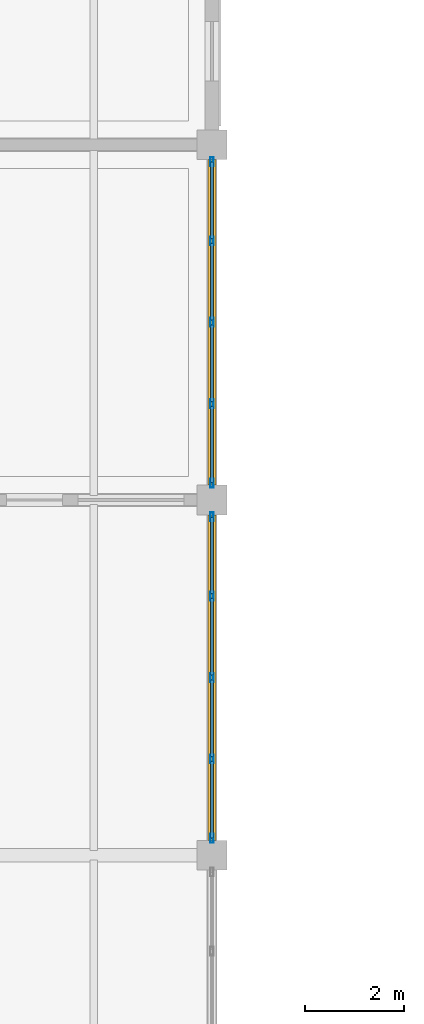
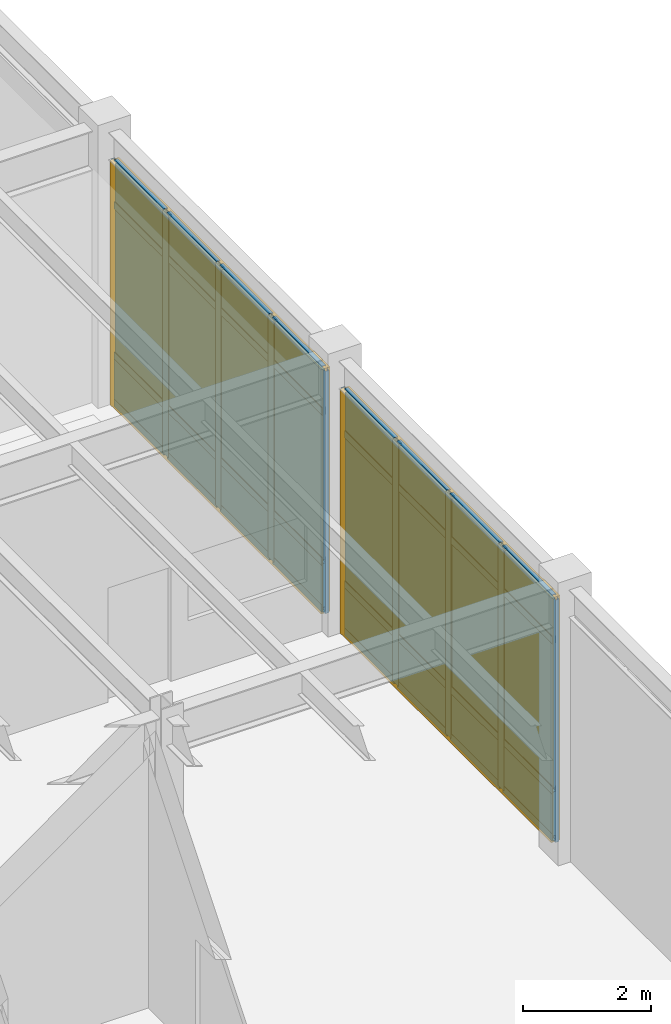
# One storey, part 84 of 97: 42 members, 16 plates, 2 curtain walls.
"""IFC4 building model written with IfcOpenShell, lengths in metres."""

from ifc_helpers import new_model, si_unit, direction, frame, origin, origin_2d, place, context, subcontext, project, spatial, rectangle, hollow_rectangle, extrude, material, layer, layer_set, material_profile, profile_set, type_object, element, aggregate, save


model = new_model("IFC4")

# Units and contexts
model_context = context("Model", 3, precision=1e-05, world=origin(), true_north=direction((0.0, 1.0)))
body_context = subcontext(model_context, "Body", "Model", "MODEL_VIEW")
ifc_project = project(units=[si_unit("LENGTHUNIT", "METRE"), si_unit("AREAUNIT", "SQUARE_METRE"), si_unit("VOLUMEUNIT", "CUBIC_METRE"), si_unit("PLANEANGLEUNIT", "RADIAN"), si_unit("MASSUNIT", "GRAM", prefix="KILO")], contexts=[model_context])

# Member
ifc_material_1 = material(Name="Anodized Aluminium 6063-T6", Category="aluminium")
ifc_material_profile_1 = material_profile(ifc_material_1, hollow_rectangle(XDim=0.06494140625, YDim=0.179931640625, WallThickness=0.00390625, at=origin_2d()), Name="ALU 65x180x4")
ifc_profile_set_1 = profile_set([ifc_material_profile_1], Name="Anodized Aluminium 6063-T6")
member_type_1 = type_object("IfcMemberType", Name="CWM-65X150", PredefinedType="MULLION", material=ifc_profile_set_1)
site_placement = place(None, origin())
building_placement = place(site_placement, origin())
storey_placement = place(building_placement, origin())
member_1_placement = place(storey_placement, frame((136.800048828125, 71.659912109375, 0.02001953125), z_axis=(0.0, 0.0, 1.0), x_axis=(1.0, 0.0, 0.0)))
member_1 = element("IfcMember", 1, at=member_1_placement, type_object=member_type_1, Name="Curtain wall mullion CW-L01-18-09-E-00", PredefinedType="MULLION", context=body_context, shape_type="SweptSolid", body=[
    extrude(hollow_rectangle(XDim=0.06494140625, YDim=0.179931640625, WallThickness=0.00390625, at=origin_2d()), origin(), (0.0, 0.0, 1.0), 4.626953125),
])

member_2_placement = place(storey_placement, frame((136.800048828125, 70.050048828125, 0.02001953125), z_axis=(0.0, 0.0, 1.0), x_axis=(1.0, 0.0, 0.0)))
member_2 = element("IfcMember", 2, at=member_2_placement, type_object=member_type_1, Name="Curtain wall mullion CW-L01-18-09-E-01", PredefinedType="MULLION", context=body_context, shape_type="SweptSolid", body=[
    extrude(hollow_rectangle(XDim=0.06494140625, YDim=0.179931640625, WallThickness=0.00390625, at=origin_2d()), origin(), (0.0, 0.0, 1.0), 4.626953125),
])

member_3_placement = place(storey_placement, frame((136.800048828125, 68.39990234375, 0.02001953125), z_axis=(0.0, 0.0, 1.0), x_axis=(1.0, 0.0, 0.0)))
member_3 = element("IfcMember", 3, at=member_3_placement, type_object=member_type_1, Name="Curtain wall mullion CW-L01-18-09-E-02", PredefinedType="MULLION", context=body_context, shape_type="SweptSolid", body=[
    extrude(hollow_rectangle(XDim=0.06494140625, YDim=0.179931640625, WallThickness=0.00390625, at=origin_2d()), origin(), (0.0, 0.0, 1.0), 4.626953125),
])

member_4_placement = place(storey_placement, frame((136.800048828125, 66.75, 0.02001953125), z_axis=(0.0, 0.0, 1.0), x_axis=(1.0, 0.0, 0.0)))
member_4 = element("IfcMember", 4, at=member_4_placement, type_object=member_type_1, Name="Curtain wall mullion CW-L01-18-09-E-03", PredefinedType="MULLION", context=body_context, shape_type="SweptSolid", body=[
    extrude(hollow_rectangle(XDim=0.06494140625, YDim=0.179931640625, WallThickness=0.00390625, at=origin_2d()), origin(), (0.0, 0.0, 1.0), 4.626953125),
])

member_5_placement = place(storey_placement, frame((136.800048828125, 65.139892578125, 0.02001953125), z_axis=(0.0, 0.0, 1.0), x_axis=(1.0, 0.0, 0.0)))
member_5 = element("IfcMember", 5, at=member_5_placement, type_object=member_type_1, Name="Curtain wall mullion CW-L01-18-09-E-04", PredefinedType="MULLION", context=body_context, shape_type="SweptSolid", body=[
    extrude(hollow_rectangle(XDim=0.06494140625, YDim=0.179931640625, WallThickness=0.00390625, at=origin_2d()), origin(), (0.0, 0.0, 1.0), 4.626953125),
])

member_6_placement = place(storey_placement, frame((136.800048828125, 78.860107421875, 0.02001953125), z_axis=(0.0, 0.0, 1.0), x_axis=(1.0, 0.0, 0.0)))
member_6 = element("IfcMember", 6, at=member_6_placement, type_object=member_type_1, Name="Curtain wall mullion CW-L01-18-10-E-00", PredefinedType="MULLION", context=body_context, shape_type="SweptSolid", body=[
    extrude(hollow_rectangle(XDim=0.06494140625, YDim=0.179931640625, WallThickness=0.00390625, at=origin_2d()), origin(), (0.0, 0.0, 1.0), 4.626953125),
])

member_7_placement = place(storey_placement, frame((136.800048828125, 77.25, 0.02001953125), z_axis=(0.0, 0.0, 1.0), x_axis=(1.0, 0.0, 0.0)))
member_7 = element("IfcMember", 7, at=member_7_placement, type_object=member_type_1, Name="Curtain wall mullion CW-L01-18-10-E-01", PredefinedType="MULLION", context=body_context, shape_type="SweptSolid", body=[
    extrude(hollow_rectangle(XDim=0.06494140625, YDim=0.179931640625, WallThickness=0.00390625, at=origin_2d()), origin(), (0.0, 0.0, 1.0), 4.626953125),
])

member_8_placement = place(storey_placement, frame((136.800048828125, 75.60009765625, 0.02001953125), z_axis=(0.0, 0.0, 1.0), x_axis=(1.0, 0.0, 0.0)))
member_8 = element("IfcMember", 8, at=member_8_placement, type_object=member_type_1, Name="Curtain wall mullion CW-L01-18-10-E-02", PredefinedType="MULLION", context=body_context, shape_type="SweptSolid", body=[
    extrude(hollow_rectangle(XDim=0.06494140625, YDim=0.179931640625, WallThickness=0.00390625, at=origin_2d()), origin(), (0.0, 0.0, 1.0), 4.626953125),
])

member_9_placement = place(storey_placement, frame((136.800048828125, 73.949951171875, 0.02001953125), z_axis=(0.0, 0.0, 1.0), x_axis=(1.0, 0.0, 0.0)))
member_9 = element("IfcMember", 9, at=member_9_placement, type_object=member_type_1, Name="Curtain wall mullion CW-L01-18-10-E-03", PredefinedType="MULLION", context=body_context, shape_type="SweptSolid", body=[
    extrude(hollow_rectangle(XDim=0.06494140625, YDim=0.179931640625, WallThickness=0.00390625, at=origin_2d()), origin(), (0.0, 0.0, 1.0), 4.626953125),
])

member_10_placement = place(storey_placement, frame((136.800048828125, 72.340087890625, 0.02001953125), z_axis=(0.0, 0.0, 1.0), x_axis=(1.0, 0.0, 0.0)))
member_10 = element("IfcMember", 10, at=member_10_placement, type_object=member_type_1, Name="Curtain wall mullion CW-L01-18-10-E-04", PredefinedType="MULLION", context=body_context, shape_type="SweptSolid", body=[
    extrude(hollow_rectangle(XDim=0.06494140625, YDim=0.179931640625, WallThickness=0.00390625, at=origin_2d()), origin(), (0.0, 0.0, 1.0), 4.626953125),
])

ifc_material_profile_2 = material_profile(ifc_material_1, hollow_rectangle(XDim=0.06494140625, YDim=0.139892578125, WallThickness=0.00390625, at=origin_2d()), Name="ALU 65x140x4")
ifc_profile_set_2 = profile_set([ifc_material_profile_2], Name="Anodized Aluminium 6063-T6")
member_type_2 = type_object("IfcMemberType", Name="CWT-65X120", PredefinedType="USERDEFINED", material=ifc_profile_set_2)
member_11_placement = place(storey_placement, frame((136.800048828125, 71.64990234375, 0.050048828125), z_axis=(0.0, -1.0, 0.0), x_axis=(1.0, 0.0, 0.0)))
member_11 = element("IfcMember", 11, at=member_11_placement, type_object=member_type_2, Name="Curtain wall transom CW-L01-18-09-E-1.01", ObjectType="TRANSOM", PredefinedType="USERDEFINED", context=body_context, shape_type="SweptSolid", body=[
    extrude(hollow_rectangle(XDim=0.06494140625, YDim=0.139892578125, WallThickness=0.00390625, at=origin_2d()), origin(), (0.0, 0.0, 1.0), 1.5498046875),
])

member_12_placement = place(storey_placement, frame((136.800048828125, 70.0, 0.050048828125), z_axis=(0.0, -1.0, 0.0), x_axis=(1.0, 0.0, 0.0)))
member_12 = element("IfcMember", 12, at=member_12_placement, type_object=member_type_2, Name="Curtain wall transom CW-L01-18-09-E-1.02", ObjectType="TRANSOM", PredefinedType="USERDEFINED", context=body_context, shape_type="SweptSolid", body=[
    extrude(hollow_rectangle(XDim=0.06494140625, YDim=0.139892578125, WallThickness=0.00390625, at=origin_2d()), origin(), (0.0, 0.0, 1.0), 1.550048828125),
])

member_13_placement = place(storey_placement, frame((136.800048828125, 68.35009765625, 0.050048828125), z_axis=(0.0, -1.0, 0.0), x_axis=(1.0, 0.0, 0.0)))
member_13 = element("IfcMember", 13, at=member_13_placement, type_object=member_type_2, Name="Curtain wall transom CW-L01-18-09-E-1.03", ObjectType="TRANSOM", PredefinedType="USERDEFINED", context=body_context, shape_type="SweptSolid", body=[
    extrude(hollow_rectangle(XDim=0.06494140625, YDim=0.139892578125, WallThickness=0.00390625, at=origin_2d()), origin(), (0.0, 0.0, 1.0), 1.550048828125),
])

member_14_placement = place(storey_placement, frame((136.800048828125, 66.699951171875, 0.050048828125), z_axis=(0.0, -1.0, 0.0), x_axis=(1.0, 0.0, 0.0)))
member_14 = element("IfcMember", 14, at=member_14_placement, type_object=member_type_2, Name="Curtain wall transom CW-L01-18-09-E-1.04", ObjectType="TRANSOM", PredefinedType="USERDEFINED", context=body_context, shape_type="SweptSolid", body=[
    extrude(hollow_rectangle(XDim=0.06494140625, YDim=0.139892578125, WallThickness=0.00390625, at=origin_2d()), origin(), (0.0, 0.0, 1.0), 1.550048828125),
])

member_15_placement = place(storey_placement, frame((136.800048828125, 71.64990234375, 0.949951171875), z_axis=(0.0, -1.0, 0.0), x_axis=(1.0, 0.0, 0.0)))
member_15 = element("IfcMember", 15, at=member_15_placement, type_object=member_type_2, Name="Curtain wall transom CW-L01-18-09-E-2.01", ObjectType="TRANSOM", PredefinedType="USERDEFINED", context=body_context, shape_type="SweptSolid", body=[
    extrude(hollow_rectangle(XDim=0.06494140625, YDim=0.139892578125, WallThickness=0.00390625, at=origin_2d()), origin(), (0.0, 0.0, 1.0), 1.5498046875),
])

member_16_placement = place(storey_placement, frame((136.800048828125, 70.0, 0.949951171875), z_axis=(0.0, -1.0, 0.0), x_axis=(1.0, 0.0, 0.0)))
member_16 = element("IfcMember", 16, at=member_16_placement, type_object=member_type_2, Name="Curtain wall transom CW-L01-18-09-E-2.02", ObjectType="TRANSOM", PredefinedType="USERDEFINED", context=body_context, shape_type="SweptSolid", body=[
    extrude(hollow_rectangle(XDim=0.06494140625, YDim=0.139892578125, WallThickness=0.00390625, at=origin_2d()), origin(), (0.0, 0.0, 1.0), 1.550048828125),
])

member_17_placement = place(storey_placement, frame((136.800048828125, 68.35009765625, 0.949951171875), z_axis=(0.0, -1.0, 0.0), x_axis=(1.0, 0.0, 0.0)))
member_17 = element("IfcMember", 17, at=member_17_placement, type_object=member_type_2, Name="Curtain wall transom CW-L01-18-09-E-2.03", ObjectType="TRANSOM", PredefinedType="USERDEFINED", context=body_context, shape_type="SweptSolid", body=[
    extrude(hollow_rectangle(XDim=0.06494140625, YDim=0.139892578125, WallThickness=0.00390625, at=origin_2d()), origin(), (0.0, 0.0, 1.0), 1.550048828125),
])

member_18_placement = place(storey_placement, frame((136.800048828125, 66.699951171875, 0.949951171875), z_axis=(0.0, -1.0, 0.0), x_axis=(1.0, 0.0, 0.0)))
member_18 = element("IfcMember", 18, at=member_18_placement, type_object=member_type_2, Name="Curtain wall transom CW-L01-18-09-E-2.04", ObjectType="TRANSOM", PredefinedType="USERDEFINED", context=body_context, shape_type="SweptSolid", body=[
    extrude(hollow_rectangle(XDim=0.06494140625, YDim=0.139892578125, WallThickness=0.00390625, at=origin_2d()), origin(), (0.0, 0.0, 1.0), 1.550048828125),
])

member_19_placement = place(storey_placement, frame((136.800048828125, 71.64990234375, 3.81689453125), z_axis=(0.0, -1.0, 0.0), x_axis=(1.0, 0.0, 0.0)))
member_19 = element("IfcMember", 19, at=member_19_placement, type_object=member_type_2, Name="Curtain wall transom CW-L01-18-09-E-3.01", ObjectType="TRANSOM", PredefinedType="USERDEFINED", context=body_context, shape_type="SweptSolid", body=[
    extrude(hollow_rectangle(XDim=0.06494140625, YDim=0.139892578125, WallThickness=0.00390625, at=origin_2d()), origin(), (0.0, 0.0, 1.0), 1.5498046875),
])

member_20_placement = place(storey_placement, frame((136.800048828125, 70.0, 3.81689453125), z_axis=(0.0, -1.0, 0.0), x_axis=(1.0, 0.0, 0.0)))
member_20 = element("IfcMember", 20, at=member_20_placement, type_object=member_type_2, Name="Curtain wall transom CW-L01-18-09-E-3.02", ObjectType="TRANSOM", PredefinedType="USERDEFINED", context=body_context, shape_type="SweptSolid", body=[
    extrude(hollow_rectangle(XDim=0.06494140625, YDim=0.139892578125, WallThickness=0.00390625, at=origin_2d()), origin(), (0.0, 0.0, 1.0), 1.550048828125),
])

member_21_placement = place(storey_placement, frame((136.800048828125, 68.35009765625, 3.81689453125), z_axis=(0.0, -1.0, 0.0), x_axis=(1.0, 0.0, 0.0)))
member_21 = element("IfcMember", 21, at=member_21_placement, type_object=member_type_2, Name="Curtain wall transom CW-L01-18-09-E-3.03", ObjectType="TRANSOM", PredefinedType="USERDEFINED", context=body_context, shape_type="SweptSolid", body=[
    extrude(hollow_rectangle(XDim=0.06494140625, YDim=0.139892578125, WallThickness=0.00390625, at=origin_2d()), origin(), (0.0, 0.0, 1.0), 1.550048828125),
])

member_22_placement = place(storey_placement, frame((136.800048828125, 66.699951171875, 3.81689453125), z_axis=(0.0, -1.0, 0.0), x_axis=(1.0, 0.0, 0.0)))
member_22 = element("IfcMember", 22, at=member_22_placement, type_object=member_type_2, Name="Curtain wall transom CW-L01-18-09-E-3.04", ObjectType="TRANSOM", PredefinedType="USERDEFINED", context=body_context, shape_type="SweptSolid", body=[
    extrude(hollow_rectangle(XDim=0.06494140625, YDim=0.139892578125, WallThickness=0.00390625, at=origin_2d()), origin(), (0.0, 0.0, 1.0), 1.550048828125),
])

member_23_placement = place(storey_placement, frame((136.800048828125, 71.64990234375, 4.616943359375), z_axis=(0.0, -1.0, 0.0), x_axis=(1.0, 0.0, 0.0)))
member_23 = element("IfcMember", 23, at=member_23_placement, type_object=member_type_2, Name="Curtain wall transom CW-L01-18-09-E-4.01", ObjectType="TRANSOM", PredefinedType="USERDEFINED", context=body_context, shape_type="SweptSolid", body=[
    extrude(hollow_rectangle(XDim=0.06494140625, YDim=0.139892578125, WallThickness=0.00390625, at=origin_2d()), origin(), (0.0, 0.0, 1.0), 1.5498046875),
])

member_24_placement = place(storey_placement, frame((136.800048828125, 70.0, 4.616943359375), z_axis=(0.0, -1.0, 0.0), x_axis=(1.0, 0.0, 0.0)))
member_24 = element("IfcMember", 24, at=member_24_placement, type_object=member_type_2, Name="Curtain wall transom CW-L01-18-09-E-4.02", ObjectType="TRANSOM", PredefinedType="USERDEFINED", context=body_context, shape_type="SweptSolid", body=[
    extrude(hollow_rectangle(XDim=0.06494140625, YDim=0.139892578125, WallThickness=0.00390625, at=origin_2d()), origin(), (0.0, 0.0, 1.0), 1.550048828125),
])

member_25_placement = place(storey_placement, frame((136.800048828125, 68.35009765625, 4.616943359375), z_axis=(0.0, -1.0, 0.0), x_axis=(1.0, 0.0, 0.0)))
member_25 = element("IfcMember", 25, at=member_25_placement, type_object=member_type_2, Name="Curtain wall transom CW-L01-18-09-E-4.03", ObjectType="TRANSOM", PredefinedType="USERDEFINED", context=body_context, shape_type="SweptSolid", body=[
    extrude(hollow_rectangle(XDim=0.06494140625, YDim=0.139892578125, WallThickness=0.00390625, at=origin_2d()), origin(), (0.0, 0.0, 1.0), 1.550048828125),
])

member_26_placement = place(storey_placement, frame((136.800048828125, 66.699951171875, 4.616943359375), z_axis=(0.0, -1.0, 0.0), x_axis=(1.0, 0.0, 0.0)))
member_26 = element("IfcMember", 26, at=member_26_placement, type_object=member_type_2, Name="Curtain wall transom CW-L01-18-09-E-4.04", ObjectType="TRANSOM", PredefinedType="USERDEFINED", context=body_context, shape_type="SweptSolid", body=[
    extrude(hollow_rectangle(XDim=0.06494140625, YDim=0.139892578125, WallThickness=0.00390625, at=origin_2d()), origin(), (0.0, 0.0, 1.0), 1.550048828125),
])

member_27_placement = place(storey_placement, frame((136.800048828125, 78.85009765625, 0.050048828125), z_axis=(0.0, -1.0, 0.0), x_axis=(1.0, 0.0, 0.0)))
member_27 = element("IfcMember", 27, at=member_27_placement, type_object=member_type_2, Name="Curtain wall transom CW-L01-18-10-E-1.01", ObjectType="TRANSOM", PredefinedType="USERDEFINED", context=body_context, shape_type="SweptSolid", body=[
    extrude(hollow_rectangle(XDim=0.06494140625, YDim=0.139892578125, WallThickness=0.00390625, at=origin_2d()), origin(), (0.0, 0.0, 1.0), 1.550048828125),
])

member_28_placement = place(storey_placement, frame((136.800048828125, 77.199951171875, 0.050048828125), z_axis=(0.0, -1.0, 0.0), x_axis=(1.0, 0.0, 0.0)))
member_28 = element("IfcMember", 28, at=member_28_placement, type_object=member_type_2, Name="Curtain wall transom CW-L01-18-10-E-1.02", ObjectType="TRANSOM", PredefinedType="USERDEFINED", context=body_context, shape_type="SweptSolid", body=[
    extrude(hollow_rectangle(XDim=0.06494140625, YDim=0.139892578125, WallThickness=0.00390625, at=origin_2d()), origin(), (0.0, 0.0, 1.0), 1.550048828125),
])

member_29_placement = place(storey_placement, frame((136.800048828125, 75.550048828125, 0.050048828125), z_axis=(0.0, -1.0, 0.0), x_axis=(1.0, 0.0, 0.0)))
member_29 = element("IfcMember", 29, at=member_29_placement, type_object=member_type_2, Name="Curtain wall transom CW-L01-18-10-E-1.03", ObjectType="TRANSOM", PredefinedType="USERDEFINED", context=body_context, shape_type="SweptSolid", body=[
    extrude(hollow_rectangle(XDim=0.06494140625, YDim=0.139892578125, WallThickness=0.00390625, at=origin_2d()), origin(), (0.0, 0.0, 1.0), 1.550048828125),
])

member_30_placement = place(storey_placement, frame((136.800048828125, 73.89990234375, 0.050048828125), z_axis=(0.0, -1.0, 0.0), x_axis=(1.0, 0.0, 0.0)))
member_30 = element("IfcMember", 30, at=member_30_placement, type_object=member_type_2, Name="Curtain wall transom CW-L01-18-10-E-1.04", ObjectType="TRANSOM", PredefinedType="USERDEFINED", context=body_context, shape_type="SweptSolid", body=[
    extrude(hollow_rectangle(XDim=0.06494140625, YDim=0.139892578125, WallThickness=0.00390625, at=origin_2d()), origin(), (0.0, 0.0, 1.0), 1.5498046875),
])

member_31_placement = place(storey_placement, frame((136.800048828125, 78.85009765625, 0.949951171875), z_axis=(0.0, -1.0, 0.0), x_axis=(1.0, 0.0, 0.0)))
member_31 = element("IfcMember", 31, at=member_31_placement, type_object=member_type_2, Name="Curtain wall transom CW-L01-18-10-E-2.01", ObjectType="TRANSOM", PredefinedType="USERDEFINED", context=body_context, shape_type="SweptSolid", body=[
    extrude(hollow_rectangle(XDim=0.06494140625, YDim=0.139892578125, WallThickness=0.00390625, at=origin_2d()), origin(), (0.0, 0.0, 1.0), 1.550048828125),
])

member_32_placement = place(storey_placement, frame((136.800048828125, 77.199951171875, 0.949951171875), z_axis=(0.0, -1.0, 0.0), x_axis=(1.0, 0.0, 0.0)))
member_32 = element("IfcMember", 32, at=member_32_placement, type_object=member_type_2, Name="Curtain wall transom CW-L01-18-10-E-2.02", ObjectType="TRANSOM", PredefinedType="USERDEFINED", context=body_context, shape_type="SweptSolid", body=[
    extrude(hollow_rectangle(XDim=0.06494140625, YDim=0.139892578125, WallThickness=0.00390625, at=origin_2d()), origin(), (0.0, 0.0, 1.0), 1.550048828125),
])

member_33_placement = place(storey_placement, frame((136.800048828125, 75.550048828125, 0.949951171875), z_axis=(0.0, -1.0, 0.0), x_axis=(1.0, 0.0, 0.0)))
member_33 = element("IfcMember", 33, at=member_33_placement, type_object=member_type_2, Name="Curtain wall transom CW-L01-18-10-E-2.03", ObjectType="TRANSOM", PredefinedType="USERDEFINED", context=body_context, shape_type="SweptSolid", body=[
    extrude(hollow_rectangle(XDim=0.06494140625, YDim=0.139892578125, WallThickness=0.00390625, at=origin_2d()), origin(), (0.0, 0.0, 1.0), 1.550048828125),
])

member_34_placement = place(storey_placement, frame((136.800048828125, 73.89990234375, 0.949951171875), z_axis=(0.0, -1.0, 0.0), x_axis=(1.0, 0.0, 0.0)))
member_34 = element("IfcMember", 34, at=member_34_placement, type_object=member_type_2, Name="Curtain wall transom CW-L01-18-10-E-2.04", ObjectType="TRANSOM", PredefinedType="USERDEFINED", context=body_context, shape_type="SweptSolid", body=[
    extrude(hollow_rectangle(XDim=0.06494140625, YDim=0.139892578125, WallThickness=0.00390625, at=origin_2d()), origin(), (0.0, 0.0, 1.0), 1.5498046875),
])

member_35_placement = place(storey_placement, frame((136.800048828125, 78.85009765625, 3.81689453125), z_axis=(0.0, -1.0, 0.0), x_axis=(1.0, 0.0, 0.0)))
member_35 = element("IfcMember", 35, at=member_35_placement, type_object=member_type_2, Name="Curtain wall transom CW-L01-18-10-E-3.01", ObjectType="TRANSOM", PredefinedType="USERDEFINED", context=body_context, shape_type="SweptSolid", body=[
    extrude(hollow_rectangle(XDim=0.06494140625, YDim=0.139892578125, WallThickness=0.00390625, at=origin_2d()), origin(), (0.0, 0.0, 1.0), 1.550048828125),
])

member_36_placement = place(storey_placement, frame((136.800048828125, 77.199951171875, 3.81689453125), z_axis=(0.0, -1.0, 0.0), x_axis=(1.0, 0.0, 0.0)))
member_36 = element("IfcMember", 36, at=member_36_placement, type_object=member_type_2, Name="Curtain wall transom CW-L01-18-10-E-3.02", ObjectType="TRANSOM", PredefinedType="USERDEFINED", context=body_context, shape_type="SweptSolid", body=[
    extrude(hollow_rectangle(XDim=0.06494140625, YDim=0.139892578125, WallThickness=0.00390625, at=origin_2d()), origin(), (0.0, 0.0, 1.0), 1.550048828125),
])

member_37_placement = place(storey_placement, frame((136.800048828125, 75.550048828125, 3.81689453125), z_axis=(0.0, -1.0, 0.0), x_axis=(1.0, 0.0, 0.0)))
member_37 = element("IfcMember", 37, at=member_37_placement, type_object=member_type_2, Name="Curtain wall transom CW-L01-18-10-E-3.03", ObjectType="TRANSOM", PredefinedType="USERDEFINED", context=body_context, shape_type="SweptSolid", body=[
    extrude(hollow_rectangle(XDim=0.06494140625, YDim=0.139892578125, WallThickness=0.00390625, at=origin_2d()), origin(), (0.0, 0.0, 1.0), 1.550048828125),
])

member_38_placement = place(storey_placement, frame((136.800048828125, 73.89990234375, 3.81689453125), z_axis=(0.0, -1.0, 0.0), x_axis=(1.0, 0.0, 0.0)))
member_38 = element("IfcMember", 38, at=member_38_placement, type_object=member_type_2, Name="Curtain wall transom CW-L01-18-10-E-3.04", ObjectType="TRANSOM", PredefinedType="USERDEFINED", context=body_context, shape_type="SweptSolid", body=[
    extrude(hollow_rectangle(XDim=0.06494140625, YDim=0.139892578125, WallThickness=0.00390625, at=origin_2d()), origin(), (0.0, 0.0, 1.0), 1.5498046875),
])

member_39_placement = place(storey_placement, frame((136.800048828125, 78.85009765625, 4.616943359375), z_axis=(0.0, -1.0, 0.0), x_axis=(1.0, 0.0, 0.0)))
member_39 = element("IfcMember", 39, at=member_39_placement, type_object=member_type_2, Name="Curtain wall transom CW-L01-18-10-E-4.01", ObjectType="TRANSOM", PredefinedType="USERDEFINED", context=body_context, shape_type="SweptSolid", body=[
    extrude(hollow_rectangle(XDim=0.06494140625, YDim=0.139892578125, WallThickness=0.00390625, at=origin_2d()), origin(), (0.0, 0.0, 1.0), 1.550048828125),
])

member_40_placement = place(storey_placement, frame((136.800048828125, 77.199951171875, 4.616943359375), z_axis=(0.0, -1.0, 0.0), x_axis=(1.0, 0.0, 0.0)))
member_40 = element("IfcMember", 40, at=member_40_placement, type_object=member_type_2, Name="Curtain wall transom CW-L01-18-10-E-4.02", ObjectType="TRANSOM", PredefinedType="USERDEFINED", context=body_context, shape_type="SweptSolid", body=[
    extrude(hollow_rectangle(XDim=0.06494140625, YDim=0.139892578125, WallThickness=0.00390625, at=origin_2d()), origin(), (0.0, 0.0, 1.0), 1.550048828125),
])

member_41_placement = place(storey_placement, frame((136.800048828125, 75.550048828125, 4.616943359375), z_axis=(0.0, -1.0, 0.0), x_axis=(1.0, 0.0, 0.0)))
member_41 = element("IfcMember", 41, at=member_41_placement, type_object=member_type_2, Name="Curtain wall transom CW-L01-18-10-E-4.03", ObjectType="TRANSOM", PredefinedType="USERDEFINED", context=body_context, shape_type="SweptSolid", body=[
    extrude(hollow_rectangle(XDim=0.06494140625, YDim=0.139892578125, WallThickness=0.00390625, at=origin_2d()), origin(), (0.0, 0.0, 1.0), 1.550048828125),
])

member_42_placement = place(storey_placement, frame((136.800048828125, 73.89990234375, 4.616943359375), z_axis=(0.0, -1.0, 0.0), x_axis=(1.0, 0.0, 0.0)))
member_42 = element("IfcMember", 42, at=member_42_placement, type_object=member_type_2, Name="Curtain wall transom CW-L01-18-10-E-4.04", ObjectType="TRANSOM", PredefinedType="USERDEFINED", context=body_context, shape_type="SweptSolid", body=[
    extrude(hollow_rectangle(XDim=0.06494140625, YDim=0.139892578125, WallThickness=0.00390625, at=origin_2d()), origin(), (0.0, 0.0, 1.0), 1.5498046875),
])

# Plate
ifc_material_2 = material(Name="Double Low-E Insulated Glazing Unit", Category="glass")
ifc_layer_1 = layer(ifc_material_2, 0.0380859375)
ifc_layer_set_1 = layer_set([ifc_layer_1], Name="Double Low-E Insulated Glazing Unit")
plate_type_1 = type_object("IfcPlateType", Name="CWP-IGU-38", PredefinedType="CURTAIN_PANEL", material=ifc_layer_set_1)
plate_1_placement = place(storey_placement, frame((136.800048828125, 70.875, 0.990234375), z_axis=(0.0, 0.0, 1.0), x_axis=(0.0, -1.0, 0.0)))
plate_1 = element("IfcPlate", 43, at=plate_1_placement, type_object=plate_type_1, Name="Curtain wall vision glazing CW-L01-18-09-E-01", PredefinedType="CURTAIN_PANEL", context=body_context, shape_type="SweptSolid", body=[
    extrude(rectangle(XDim=1.56005859375, YDim=0.0400390625, at=origin_2d()), origin(), (0.0, 0.0, 1.0), 3.616943359375),
])

plate_2_placement = place(storey_placement, frame((136.800048828125, 69.22509765625, 0.990234375), z_axis=(0.0, 0.0, 1.0), x_axis=(0.0, -1.0, 0.0)))
plate_2 = element("IfcPlate", 44, at=plate_2_placement, type_object=plate_type_1, Name="Curtain wall vision glazing CW-L01-18-09-E-02", PredefinedType="CURTAIN_PANEL", context=body_context, shape_type="SweptSolid", body=[
    extrude(rectangle(XDim=1.56005859375, YDim=0.0400390625, at=origin_2d()), origin(), (0.0, 0.0, 1.0), 3.616943359375),
])

plate_3_placement = place(storey_placement, frame((136.800048828125, 67.574951171875, 0.990234375), z_axis=(0.0, 0.0, 1.0), x_axis=(0.0, -1.0, 0.0)))
plate_3 = element("IfcPlate", 45, at=plate_3_placement, type_object=plate_type_1, Name="Curtain wall vision glazing CW-L01-18-09-E-03", PredefinedType="CURTAIN_PANEL", context=body_context, shape_type="SweptSolid", body=[
    extrude(rectangle(XDim=1.56005859375, YDim=0.0400390625, at=origin_2d()), origin(), (0.0, 0.0, 1.0), 3.616943359375),
])

plate_4_placement = place(storey_placement, frame((136.800048828125, 65.925048828125, 0.990234375), z_axis=(0.0, 0.0, 1.0), x_axis=(0.0, -1.0, 0.0)))
plate_4 = element("IfcPlate", 46, at=plate_4_placement, type_object=plate_type_1, Name="Curtain wall vision glazing CW-L01-18-09-E-04", PredefinedType="CURTAIN_PANEL", context=body_context, shape_type="SweptSolid", body=[
    extrude(rectangle(XDim=1.56005859375, YDim=0.0400390625, at=origin_2d()), origin(), (0.0, 0.0, 1.0), 3.616943359375),
])

plate_5_placement = place(storey_placement, frame((136.800048828125, 78.074951171875, 0.990234375), z_axis=(0.0, 0.0, 1.0), x_axis=(0.0, -1.0, 0.0)))
plate_5 = element("IfcPlate", 47, at=plate_5_placement, type_object=plate_type_1, Name="Curtain wall vision glazing CW-L01-18-10-E-01", PredefinedType="CURTAIN_PANEL", context=body_context, shape_type="SweptSolid", body=[
    extrude(rectangle(XDim=1.56005859375, YDim=0.0400390625, at=origin_2d()), origin(), (0.0, 0.0, 1.0), 3.616943359375),
])

plate_6_placement = place(storey_placement, frame((136.800048828125, 76.425048828125, 0.990234375), z_axis=(0.0, 0.0, 1.0), x_axis=(0.0, -1.0, 0.0)))
plate_6 = element("IfcPlate", 48, at=plate_6_placement, type_object=plate_type_1, Name="Curtain wall vision glazing CW-L01-18-10-E-02", PredefinedType="CURTAIN_PANEL", context=body_context, shape_type="SweptSolid", body=[
    extrude(rectangle(XDim=1.56005859375, YDim=0.0400390625, at=origin_2d()), origin(), (0.0, 0.0, 1.0), 3.616943359375),
])

plate_7_placement = place(storey_placement, frame((136.800048828125, 74.77490234375, 0.990234375), z_axis=(0.0, 0.0, 1.0), x_axis=(0.0, -1.0, 0.0)))
plate_7 = element("IfcPlate", 49, at=plate_7_placement, type_object=plate_type_1, Name="Curtain wall vision glazing CW-L01-18-10-E-03", PredefinedType="CURTAIN_PANEL", context=body_context, shape_type="SweptSolid", body=[
    extrude(rectangle(XDim=1.56005859375, YDim=0.0400390625, at=origin_2d()), origin(), (0.0, 0.0, 1.0), 3.616943359375),
])

plate_8_placement = place(storey_placement, frame((136.800048828125, 73.125, 0.990234375), z_axis=(0.0, 0.0, 1.0), x_axis=(0.0, -1.0, 0.0)))
plate_8 = element("IfcPlate", 50, at=plate_8_placement, type_object=plate_type_1, Name="Curtain wall vision glazing CW-L01-18-10-E-04", PredefinedType="CURTAIN_PANEL", context=body_context, shape_type="SweptSolid", body=[
    extrude(rectangle(XDim=1.56005859375, YDim=0.0400390625, at=origin_2d()), origin(), (0.0, 0.0, 1.0), 3.616943359375),
])

ifc_material_3 = material(Name="Insulated Bronze Aluminium Spandrel", Category="aluminium")
ifc_layer_2 = layer(ifc_material_3, 0.06005859375)
ifc_layer_set_2 = layer_set([ifc_layer_2], Name="Insulated Bronze Aluminium Spandrel")
plate_type_2 = type_object("IfcPlateType", Name="CWP-SPN-60", PredefinedType="CURTAIN_PANEL", material=ifc_layer_set_2)
plate_9_placement = place(storey_placement, frame((136.800048828125, 70.875, 0.080078125), z_axis=(0.0, 0.0, 1.0), x_axis=(0.0, -1.0, 0.0)))
plate_9 = element("IfcPlate", 51, at=plate_9_placement, type_object=plate_type_2, Name="Curtain wall spandrel panel CW-L01-18-09-E-01", PredefinedType="CURTAIN_PANEL", context=body_context, shape_type="SweptSolid", body=[
    extrude(rectangle(XDim=1.56005859375, YDim=0.06005859375, at=origin_2d()), origin(), (0.0, 0.0, 1.0), 0.840087890625),
])

plate_10_placement = place(storey_placement, frame((136.800048828125, 69.22509765625, 0.080078125), z_axis=(0.0, 0.0, 1.0), x_axis=(0.0, -1.0, 0.0)))
plate_10 = element("IfcPlate", 52, at=plate_10_placement, type_object=plate_type_2, Name="Curtain wall spandrel panel CW-L01-18-09-E-02", PredefinedType="CURTAIN_PANEL", context=body_context, shape_type="SweptSolid", body=[
    extrude(rectangle(XDim=1.56005859375, YDim=0.06005859375, at=origin_2d()), origin(), (0.0, 0.0, 1.0), 0.840087890625),
])

plate_11_placement = place(storey_placement, frame((136.800048828125, 67.574951171875, 0.080078125), z_axis=(0.0, 0.0, 1.0), x_axis=(0.0, -1.0, 0.0)))
plate_11 = element("IfcPlate", 53, at=plate_11_placement, type_object=plate_type_2, Name="Curtain wall spandrel panel CW-L01-18-09-E-03", PredefinedType="CURTAIN_PANEL", context=body_context, shape_type="SweptSolid", body=[
    extrude(rectangle(XDim=1.56005859375, YDim=0.06005859375, at=origin_2d()), origin(), (0.0, 0.0, 1.0), 0.840087890625),
])

plate_12_placement = place(storey_placement, frame((136.800048828125, 65.925048828125, 0.080078125), z_axis=(0.0, 0.0, 1.0), x_axis=(0.0, -1.0, 0.0)))
plate_12 = element("IfcPlate", 54, at=plate_12_placement, type_object=plate_type_2, Name="Curtain wall spandrel panel CW-L01-18-09-E-04", PredefinedType="CURTAIN_PANEL", context=body_context, shape_type="SweptSolid", body=[
    extrude(rectangle(XDim=1.56005859375, YDim=0.06005859375, at=origin_2d()), origin(), (0.0, 0.0, 1.0), 0.840087890625),
])

plate_13_placement = place(storey_placement, frame((136.800048828125, 78.074951171875, 0.080078125), z_axis=(0.0, 0.0, 1.0), x_axis=(0.0, -1.0, 0.0)))
plate_13 = element("IfcPlate", 55, at=plate_13_placement, type_object=plate_type_2, Name="Curtain wall spandrel panel CW-L01-18-10-E-01", PredefinedType="CURTAIN_PANEL", context=body_context, shape_type="SweptSolid", body=[
    extrude(rectangle(XDim=1.56005859375, YDim=0.06005859375, at=origin_2d()), origin(), (0.0, 0.0, 1.0), 0.840087890625),
])

plate_14_placement = place(storey_placement, frame((136.800048828125, 76.425048828125, 0.080078125), z_axis=(0.0, 0.0, 1.0), x_axis=(0.0, -1.0, 0.0)))
plate_14 = element("IfcPlate", 56, at=plate_14_placement, type_object=plate_type_2, Name="Curtain wall spandrel panel CW-L01-18-10-E-02", PredefinedType="CURTAIN_PANEL", context=body_context, shape_type="SweptSolid", body=[
    extrude(rectangle(XDim=1.56005859375, YDim=0.06005859375, at=origin_2d()), origin(), (0.0, 0.0, 1.0), 0.840087890625),
])

plate_15_placement = place(storey_placement, frame((136.800048828125, 74.77490234375, 0.080078125), z_axis=(0.0, 0.0, 1.0), x_axis=(0.0, -1.0, 0.0)))
plate_15 = element("IfcPlate", 57, at=plate_15_placement, type_object=plate_type_2, Name="Curtain wall spandrel panel CW-L01-18-10-E-03", PredefinedType="CURTAIN_PANEL", context=body_context, shape_type="SweptSolid", body=[
    extrude(rectangle(XDim=1.56005859375, YDim=0.06005859375, at=origin_2d()), origin(), (0.0, 0.0, 1.0), 0.840087890625),
])

plate_16_placement = place(storey_placement, frame((136.800048828125, 73.125, 0.080078125), z_axis=(0.0, 0.0, 1.0), x_axis=(0.0, -1.0, 0.0)))
plate_16 = element("IfcPlate", 58, at=plate_16_placement, type_object=plate_type_2, Name="Curtain wall spandrel panel CW-L01-18-10-E-04", PredefinedType="CURTAIN_PANEL", context=body_context, shape_type="SweptSolid", body=[
    extrude(rectangle(XDim=1.56005859375, YDim=0.06005859375, at=origin_2d()), origin(), (0.0, 0.0, 1.0), 0.840087890625),
])

# Site, building, storey
site = spatial("IfcSite", under=ifc_project, at=site_placement, CompositionType="ELEMENT")
building = spatial("IfcBuilding", under=site, at=building_placement, Name="Sillqori Civic Hall", CompositionType="ELEMENT")
storey = spatial("IfcBuildingStorey", under=building, at=storey_placement, Name="L01", CompositionType="ELEMENT", Elevation=0.0)

# Curtain wall
ifc_material_4 = material(Name="Anodized Aluminium Curtain Wall System", Category="aluminium")
curtain_wall_type = type_object("IfcCurtainWallType", Name="CW-SF-540", PredefinedType="NOTDEFINED", material=ifc_material_4)
curtain_wall_1_placement = place(storey_placement, frame((136.800048828125, 68.39990234375, 0.0), z_axis=(0.0, 0.0, 1.0), x_axis=(0.0, -1.0, 0.0)))
curtain_wall_1 = element("IfcCurtainWall", 59, at=curtain_wall_1_placement, inside=storey, type_object=curtain_wall_type, Name="L01 unitised curtain wall CW-L01-18-09-E", PredefinedType="NOTDEFINED", context=body_context, shape_type="SweptSolid", body=[
    extrude(rectangle(XDim=6.60009765625, YDim=0.159912109375, at=origin_2d()), origin(), (0.0, 0.0, 1.0), 4.6669921875),
])

aggregate(curtain_wall_1, [member_1, member_2, member_3, member_4, member_5, member_11, member_12, member_13, member_14, member_15, member_16, member_17, member_18, member_19, member_20, member_21, member_22, member_23, member_24, member_25, member_26, plate_9, plate_1, plate_10, plate_2, plate_11, plate_3, plate_12, plate_4])

curtain_wall_2_placement = place(storey_placement, frame((136.800048828125, 75.60009765625, 0.0), z_axis=(0.0, 0.0, 1.0), x_axis=(0.0, -1.0, 0.0)))
curtain_wall_2 = element("IfcCurtainWall", 60, at=curtain_wall_2_placement, inside=storey, type_object=curtain_wall_type, Name="L01 unitised curtain wall CW-L01-18-10-E", PredefinedType="NOTDEFINED", context=body_context, shape_type="SweptSolid", body=[
    extrude(rectangle(XDim=6.60009765625, YDim=0.159912109375, at=origin_2d()), origin(), (0.0, 0.0, 1.0), 4.6669921875),
])

aggregate(curtain_wall_2, [member_6, member_7, member_8, member_9, member_10, member_27, member_28, member_29, member_30, member_31, member_32, member_33, member_34, member_35, member_36, member_37, member_38, member_39, member_40, member_41, member_42, plate_13, plate_5, plate_14, plate_6, plate_15, plate_7, plate_16, plate_8])

save(model, "model.ifc")
